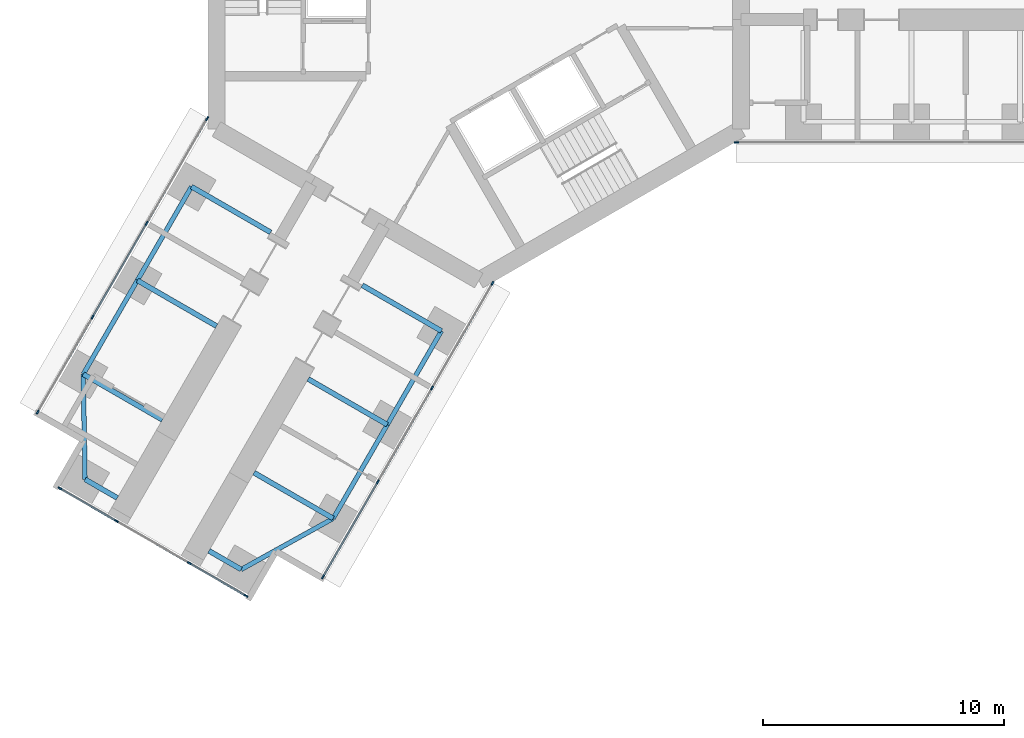
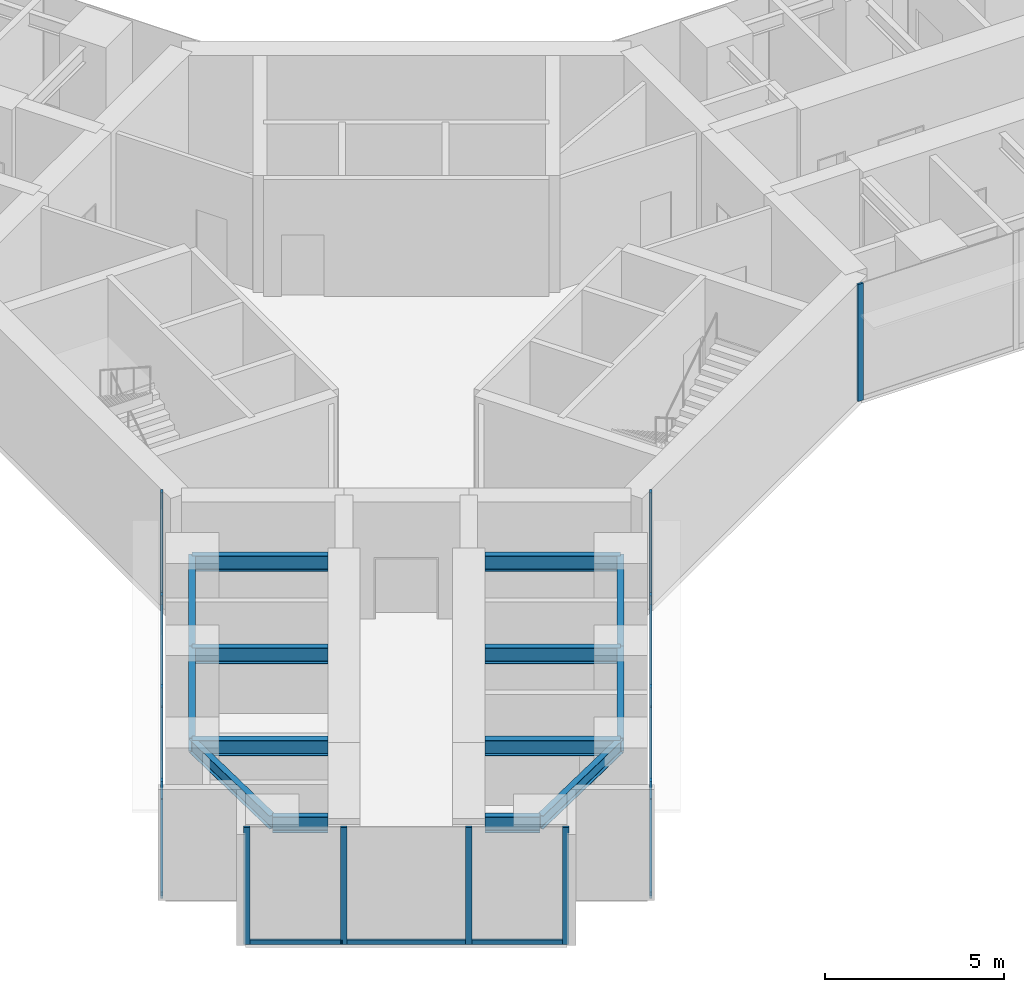
# One storey, part 2 of 22: 22 members, 14 beams, 4 elements without a shape of their own.
"""IFC4 building model written with IfcOpenShell, lengths in metres."""

from ifc_helpers import new_model, si_unit, direction, frame, origin, origin_2d, place, context, subcontext, project, spatial, rectangle, i_section, extrude, material, material_profile, profile_set, type_object, element, aggregate, save


model = new_model("IFC4")

# Units and contexts
model_context = context("Model", 3, precision=1e-05, world=origin(), true_north=direction((0.0, 1.0)))
body_context = subcontext(model_context, "Body", "Model", "MODEL_VIEW")
ifc_project = project(units=[si_unit("LENGTHUNIT", "METRE"), si_unit("AREAUNIT", "SQUARE_METRE"), si_unit("VOLUMEUNIT", "CUBIC_METRE"), si_unit("PLANEANGLEUNIT", "RADIAN"), si_unit("MASSUNIT", "GRAM", prefix="KILO")], contexts=[model_context])

# Site, building, storey
site_placement = place(None, origin())
site = spatial("IfcSite", under=ifc_project, at=site_placement, CompositionType="ELEMENT")
building_placement = place(site_placement, origin())
building = spatial("IfcBuilding", under=site, at=building_placement, Name="Upepo Twin Towers", CompositionType="ELEMENT")
storey_placement = place(building_placement, frame((0.0, 0.0, 40.5)))
storey = spatial("IfcBuildingStorey", under=building, at=storey_placement, Name="L09", CompositionType="ELEMENT", Elevation=40.5)

# Beams
ifc_material_1 = material(Name="Steel S355", Category="steel")
ifc_material_profile_1 = material_profile(ifc_material_1, i_section(OverallWidth=0.1904296875, OverallDepth=0.45703125, WebThickness=0.009033203125, FlangeThickness=0.014404296875, FilletRadius=0.01025390625, at=origin_2d()), Name="UB 457x191x74")
ifc_profile_set_1 = profile_set([ifc_material_profile_1], Name="Steel S355")
beam_type_1 = type_object("IfcBeamType", Name="Beam UB 457x191x74", PredefinedType="BEAM", material=ifc_profile_set_1)
beam_1_placement = place(storey_placement, frame((-1.553955078125, -14.69140625, 3.571533203125), z_axis=(-0.500013631625, -0.866017533419, 0.0), x_axis=(0.866017533419, -0.500013631625, 0.0)))
element("IfcBeam", 1, at=beam_1_placement, inside=storey, type_object=beam_type_1, Name="T1 edge beam CL 13.5-18.0", PredefinedType="BEAM", context=body_context, shape_type="SweptSolid", body=[
    extrude(i_section(OverallWidth=0.1904296875, OverallDepth=0.45703125, WebThickness=0.009033203125, FlangeThickness=0.014404296875, FilletRadius=0.01025390625, at=origin_2d()), origin(), (0.0, 0.0, 1.0), 4.499755859375),
])
beam_2_placement = place(storey_placement, frame((-3.803955078125, -18.58837890625, 3.571533203125), z_axis=(-0.499990139034, -0.866031096941, 0.0), x_axis=(0.866031096941, -0.499990139034, 0.0)))
element("IfcBeam", 2, at=beam_2_placement, inside=storey, type_object=beam_type_1, Name="T1 edge beam CL 18.0-22.5", PredefinedType="BEAM", context=body_context, shape_type="SweptSolid", body=[
    extrude(i_section(OverallWidth=0.1904296875, OverallDepth=0.45703125, WebThickness=0.009033203125, FlangeThickness=0.014404296875, FilletRadius=0.01025390625, at=origin_2d()), origin(), (0.0, 0.0, 1.0), 4.5),
])
beam_3_placement = place(storey_placement, frame((-6.053955078125, -22.485595703125, 3.571533203125), z_axis=(-0.874312600038, -0.485363242752, 0.0), x_axis=(0.485363242752, -0.874312600038, 0.0)))
element("IfcBeam", 3, at=beam_3_placement, inside=storey, type_object=beam_type_1, Name="T1 nose edge beam CL", PredefinedType="BEAM", context=body_context, shape_type="SweptSolid", body=[
    extrude(i_section(OverallWidth=0.1904296875, OverallDepth=0.45703125, WebThickness=0.009033203125, FlangeThickness=0.014404296875, FilletRadius=0.01025390625, at=origin_2d()), origin(), (0.0, 0.0, 1.0), 4.373046875),
])
beam_4_placement = place(storey_placement, frame((-11.946044921875, -8.69140625, 3.571533203125), z_axis=(-0.500013631625, -0.866017533419, 0.0), x_axis=(0.866017533419, -0.500013631625, 0.0)))
element("IfcBeam", 4, at=beam_4_placement, inside=storey, type_object=beam_type_1, Name="T1 edge beam CR 13.5-18.0", PredefinedType="BEAM", context=body_context, shape_type="SweptSolid", body=[
    extrude(i_section(OverallWidth=0.1904296875, OverallDepth=0.45703125, WebThickness=0.009033203125, FlangeThickness=0.014404296875, FilletRadius=0.01025390625, at=origin_2d()), origin(), (0.0, 0.0, 1.0), 4.499755859375),
])
beam_5_placement = place(storey_placement, frame((-14.196044921875, -12.58837890625, 3.571533203125), z_axis=(-0.499990139034, -0.866031096941, 0.0), x_axis=(0.866031096941, -0.499990139034, 0.0)))
element("IfcBeam", 5, at=beam_5_placement, inside=storey, type_object=beam_type_1, Name="T1 edge beam CR 18.0-22.5", PredefinedType="BEAM", context=body_context, shape_type="SweptSolid", body=[
    extrude(i_section(OverallWidth=0.1904296875, OverallDepth=0.45703125, WebThickness=0.009033203125, FlangeThickness=0.014404296875, FilletRadius=0.01025390625, at=origin_2d()), origin(), (0.0, 0.0, 1.0), 4.5),
])
beam_6_placement = place(storey_placement, frame((-16.446044921875, -16.485595703125, 3.571533203125), z_axis=(0.016803880528, -0.999858804832, 0.0), x_axis=(0.999858804832, 0.016803880528, 0.0)))
element("IfcBeam", 6, at=beam_6_placement, inside=storey, type_object=beam_type_1, Name="T1 nose edge beam CR", PredefinedType="BEAM", context=body_context, shape_type="SweptSolid", body=[
    extrude(i_section(OverallWidth=0.1904296875, OverallDepth=0.45703125, WebThickness=0.009033203125, FlangeThickness=0.014404296875, FilletRadius=0.01025390625, at=origin_2d()), origin(), (0.0, 0.0, 1.0), 4.373291015625),
])
ifc_material_2 = material(Name="Steel S355", Category="steel")
ifc_material_profile_2 = material_profile(ifc_material_2, i_section(OverallWidth=0.2099609375, OverallDepth=0.53662109375, WebThickness=0.0107421875, FlangeThickness=0.017333984375, FilletRadius=0.0126953125, at=origin_2d()), Name="UB 533x210x101")
ifc_profile_set_2 = profile_set([ifc_material_profile_2], Name="Steel S355")
beam_type_2 = type_object("IfcBeamType", Name="Beam UB 533x210x101", PredefinedType="BEAM", material=ifc_profile_set_2)
for number, where, z_axis, x_axis, name in (
    (7, (-9.87744140625, -24.608154296875, 3.53173828125), (-0.866043940782, 0.499967891604, 0.0), (-0.499967891604, -0.866043940782, 0.0), "T1 nose beam CL"),
    (8, (-16.37255859375, -20.858154296875, 3.53173828125), (0.866043940782, -0.499967891604, 0.0), (0.499967891604, 0.866043940782, 0.0), "T1 nose beam CR"),
):
    element("IfcBeam", number, at=place(storey_placement, frame(where, z_axis=z_axis, x_axis=x_axis)), inside=storey, type_object=beam_type_2, Name=name, PredefinedType="BEAM", context=body_context, shape_type="SweptSolid", body=[
        extrude(i_section(OverallWidth=0.2099609375, OverallDepth=0.53662109375, WebThickness=0.0107421875, FlangeThickness=0.017333984375, FilletRadius=0.0126953125, at=origin_2d()), origin(), (0.0, 0.0, 1.0), 1.5498046875),
    ])
ifc_material_3 = material(Name="Steel S355", Category="steel")
ifc_material_profile_3 = material_profile(ifc_material_3, i_section(OverallWidth=0.209228515625, OverallDepth=0.533203125, WebThickness=0.010009765625, FlangeThickness=0.015625, FilletRadius=0.0126953125, at=origin_2d()), Name="UB 533x210x92")
ifc_profile_set_3 = profile_set([ifc_material_profile_3], Name="Steel S355")
beam_type_3 = type_object("IfcBeamType", Name="Beam UB 533x210x92", PredefinedType="BEAM", material=ifc_profile_set_3)
beam_7_placement = place(storey_placement, frame((-1.553955078125, -14.69140625, 3.533447265625), z_axis=(-0.866000483506, 0.500043160704, 0.0), x_axis=(-0.500043160704, -0.866000483506, 0.0)))
element("IfcBeam", 9, at=beam_7_placement, inside=storey, type_object=beam_type_3, Name="T1 girder CL at 13.5", PredefinedType="BEAM", context=body_context, shape_type="SweptSolid", body=[
    extrude(i_section(OverallWidth=0.209228515625, OverallDepth=0.533203125, WebThickness=0.010009765625, FlangeThickness=0.015625, FilletRadius=0.0126953125, at=origin_2d()), origin(), (0.0, 0.0, 1.0), 3.800048828125),
])
for number, where, z_axis, x_axis, name in (
    (10, (-3.803955078125, -18.58837890625, 3.533447265625), (-0.866028304915, 0.499994975061, 0.0), (-0.499994975061, -0.866028304915, 0.0), "T1 girder CL at 18.0"),
    (11, (-6.053955078125, -22.485595703125, 3.533447265625), (-0.866028304915, 0.499994975061, 0.0), (-0.499994975061, -0.866028304915, 0.0), "T1 girder CL at 22.5"),
    (12, (-11.946044921875, -8.69140625, 3.533447265625), (0.866028304915, -0.499994975061, 0.0), (0.499994975061, 0.866028304915, 0.0), "T1 girder CR at 13.5"),
):
    element("IfcBeam", number, at=place(storey_placement, frame(where, z_axis=z_axis, x_axis=x_axis)), inside=storey, type_object=beam_type_3, Name=name, PredefinedType="BEAM", context=body_context, shape_type="SweptSolid", body=[
        extrude(i_section(OverallWidth=0.209228515625, OverallDepth=0.533203125, WebThickness=0.010009765625, FlangeThickness=0.015625, FilletRadius=0.0126953125, at=origin_2d()), origin(), (0.0, 0.0, 1.0), 3.7998046875),
    ])
beam_8_placement = place(storey_placement, frame((-14.196044921875, -12.58837890625, 3.533447265625), z_axis=(0.866000483506, -0.500043160704, 0.0), x_axis=(0.500043160704, 0.866000483506, 0.0)))
element("IfcBeam", 13, at=beam_8_placement, inside=storey, type_object=beam_type_3, Name="T1 girder CR at 18.0", PredefinedType="BEAM", context=body_context, shape_type="SweptSolid", body=[
    extrude(i_section(OverallWidth=0.209228515625, OverallDepth=0.533203125, WebThickness=0.010009765625, FlangeThickness=0.015625, FilletRadius=0.0126953125, at=origin_2d()), origin(), (0.0, 0.0, 1.0), 3.800048828125),
])
beam_9_placement = place(storey_placement, frame((-16.446044921875, -16.485595703125, 3.533447265625), z_axis=(0.866028304915, -0.499994975061, 0.0), x_axis=(0.499994975061, 0.866028304915, 0.0)))
element("IfcBeam", 14, at=beam_9_placement, inside=storey, type_object=beam_type_3, Name="T1 girder CR at 22.5", PredefinedType="BEAM", context=body_context, shape_type="SweptSolid", body=[
    extrude(i_section(OverallWidth=0.209228515625, OverallDepth=0.533203125, WebThickness=0.010009765625, FlangeThickness=0.015625, FilletRadius=0.0126953125, at=origin_2d()), origin(), (0.0, 0.0, 1.0), 3.7998046875),
])

# Curtain wall, member
ifc_material_4 = material(Name="Aluminium and fritted glass", Category="aluminium")
curtain_wall_type = type_object("IfcCurtainWallType", Name="Tower curtain wall TW1, fritted glass", PredefinedType="NOTDEFINED", material=ifc_material_4)
curtain_wall_1_placement = place(storey_placement, origin())
curtain_wall_1 = element("IfcCurtainWall", 15, at=curtain_wall_1_placement, inside=storey, type_object=curtain_wall_type, Name="T1 L09 wing A flank R curtain wall", PredefinedType="NOTDEFINED")
ifc_material_5 = material(Name="Aluminium mullion", Category="aluminium")
ifc_material_profile_4 = material_profile(ifc_material_5, rectangle(XDim=0.06494140625, YDim=0.179931640625, at=origin_2d()), Name="MULLION 65x180")
ifc_profile_set_4 = profile_set([ifc_material_profile_4], Name="Aluminium mullion")
member_type_1 = type_object("IfcMemberType", Name="Mullion 65x180 TW1", PredefinedType="MULLION", material=ifc_profile_set_4)
member_1_placement = place(storey_placement, frame((10.7197265625, -6.85009765625, 0.0), z_axis=(0.0, 0.0, 1.0), x_axis=(0.0, -1.0, 0.0)))
member_1 = element("IfcMember", 16, at=member_1_placement, type_object=member_type_1, Name="T1 L09 wing A flank R curtain wall mullion 4", PredefinedType="MULLION", context=body_context, shape_type="SweptSolid", body=[
    extrude(rectangle(XDim=0.06494140625, YDim=0.179931640625, at=origin_2d()), origin(), (0.0, 0.0, 1.0), 4.0),
])
aggregate(curtain_wall_1, [member_1])

# Curtain wall, members
curtain_wall_2_placement = place(storey_placement, origin())
curtain_wall_2 = element("IfcCurtainWall", 17, at=curtain_wall_2_placement, inside=storey, type_object=curtain_wall_type, Name="T1 L09 wing C flank L curtain wall", PredefinedType="NOTDEFINED")
member_2_placement = place(storey_placement, frame((0.572509765625, -12.70849609375, 0.0), z_axis=(0.0, 0.0, 1.0), x_axis=(0.866025389682, -0.500000024426, 0.0)))
member_2 = element("IfcMember", 18, at=member_2_placement, type_object=member_type_1, Name="T1 L09 wing C flank L curtain wall mullion 1", PredefinedType="MULLION", context=body_context, shape_type="SweptSolid", body=[
    extrude(rectangle(XDim=0.06494140625, YDim=0.179931640625, at=origin_2d()), origin(), (0.0, 0.0, 1.0), 4.0),
])
member_3_placement = place(storey_placement, frame((-1.942626953125, -17.06494140625, 0.0), z_axis=(0.0, 0.0, 1.0), x_axis=(0.866025389682, -0.500000024426, 0.0)))
member_3 = element("IfcMember", 19, at=member_3_placement, type_object=member_type_1, Name="T1 L09 wing C flank L curtain wall mullion 2", PredefinedType="MULLION", context=body_context, shape_type="SweptSolid", body=[
    extrude(rectangle(XDim=0.06494140625, YDim=0.179931640625, at=origin_2d()), origin(), (0.0, 0.0, 1.0), 4.0),
])
member_4_placement = place(storey_placement, frame((-4.192626953125, -20.9619140625, 0.0), z_axis=(0.0, 0.0, 1.0), x_axis=(0.866025389682, -0.500000024426, 0.0)))
member_4 = element("IfcMember", 20, at=member_4_placement, type_object=member_type_1, Name="T1 L09 wing C flank L curtain wall mullion 3", PredefinedType="MULLION", context=body_context, shape_type="SweptSolid", body=[
    extrude(rectangle(XDim=0.06494140625, YDim=0.179931640625, at=origin_2d()), origin(), (0.0, 0.0, 1.0), 4.0),
])
member_5_placement = place(storey_placement, frame((-6.4765625, -24.91748046875, 0.0), z_axis=(0.0, 0.0, 1.0), x_axis=(0.866025389682, -0.500000024426, 0.0)))
member_5 = element("IfcMember", 21, at=member_5_placement, type_object=member_type_1, Name="T1 L09 wing C flank L curtain wall mullion 4", PredefinedType="MULLION", context=body_context, shape_type="SweptSolid", body=[
    extrude(rectangle(XDim=0.06494140625, YDim=0.179931640625, at=origin_2d()), origin(), (0.0, 0.0, 1.0), 4.0),
])

curtain_wall_3_placement = place(storey_placement, origin())
curtain_wall_3 = element("IfcCurtainWall", 22, at=curtain_wall_3_placement, inside=storey, type_object=curtain_wall_type, Name="T1 L09 wing C flank R curtain wall", PredefinedType="NOTDEFINED")
member_6_placement = place(storey_placement, frame((-18.341064453125, -18.067626953125, 0.0), z_axis=(0.0, 0.0, 1.0), x_axis=(-0.866025389682, 0.500000024426, 0.0)))
member_6 = element("IfcMember", 23, at=member_6_placement, type_object=member_type_1, Name="T1 L09 wing C flank R curtain wall mullion 1", PredefinedType="MULLION", context=body_context, shape_type="SweptSolid", body=[
    extrude(rectangle(XDim=0.06494140625, YDim=0.179931640625, at=origin_2d()), origin(), (0.0, 0.0, 1.0), 4.0),
])
member_7_placement = place(storey_placement, frame((-16.057373046875, -14.112060546875, 0.0), z_axis=(0.0, 0.0, 1.0), x_axis=(-0.866025389682, 0.500000024426, 0.0)))
member_7 = element("IfcMember", 24, at=member_7_placement, type_object=member_type_1, Name="T1 L09 wing C flank R curtain wall mullion 2", PredefinedType="MULLION", context=body_context, shape_type="SweptSolid", body=[
    extrude(rectangle(XDim=0.06494140625, YDim=0.179931640625, at=origin_2d()), origin(), (0.0, 0.0, 1.0), 4.0),
])
member_8_placement = place(storey_placement, frame((-13.807373046875, -10.21484375, 0.0), z_axis=(0.0, 0.0, 1.0), x_axis=(-0.866025389682, 0.500000024426, 0.0)))
member_8 = element("IfcMember", 25, at=member_8_placement, type_object=member_type_1, Name="T1 L09 wing C flank R curtain wall mullion 3", PredefinedType="MULLION", context=body_context, shape_type="SweptSolid", body=[
    extrude(rectangle(XDim=0.06494140625, YDim=0.179931640625, at=origin_2d()), origin(), (0.0, 0.0, 1.0), 4.0),
])
member_9_placement = place(storey_placement, frame((-11.2919921875, -5.8583984375, 0.0), z_axis=(0.0, 0.0, 1.0), x_axis=(-0.866025389682, 0.500000024426, 0.0)))
member_9 = element("IfcMember", 26, at=member_9_placement, type_object=member_type_1, Name="T1 L09 wing C flank R curtain wall mullion 4", PredefinedType="MULLION", context=body_context, shape_type="SweptSolid", body=[
    extrude(rectangle(XDim=0.06494140625, YDim=0.179931640625, at=origin_2d()), origin(), (0.0, 0.0, 1.0), 4.0),
])

curtain_wall_4_placement = place(storey_placement, origin())
curtain_wall_4 = element("IfcCurtainWall", 27, at=curtain_wall_4_placement, inside=storey, type_object=curtain_wall_type, Name="T1 L09 wing C nose curtain wall", PredefinedType="NOTDEFINED")
member_10_placement = place(storey_placement, frame((-17.4189453125, -21.235595703125, 0.0), z_axis=(0.0, 0.0, 1.0), x_axis=(0.500000030502, 0.866025386174, 0.0)))
member_10 = element("IfcMember", 28, at=member_10_placement, type_object=member_type_1, Name="T1 L09 wing C nose curtain wall mullion 1", PredefinedType="MULLION", context=body_context, shape_type="SweptSolid", body=[
    extrude(rectangle(XDim=0.06494140625, YDim=0.179931640625, at=origin_2d()), origin(), (0.0, 0.0, 1.0), 4.0),
])
member_11_placement = place(storey_placement, frame((-15.0654296875, -22.59423828125, 0.0), z_axis=(0.0, 0.0, 1.0), x_axis=(0.500000030502, 0.866025386174, 0.0)))
member_11 = element("IfcMember", 29, at=member_11_placement, type_object=member_type_1, Name="T1 L09 wing C nose curtain wall mullion 2", PredefinedType="MULLION", context=body_context, shape_type="SweptSolid", body=[
    extrude(rectangle(XDim=0.06494140625, YDim=0.179931640625, at=origin_2d()), origin(), (0.0, 0.0, 1.0), 4.0),
])
member_12_placement = place(storey_placement, frame((-12.034423828125, -24.34423828125, 0.0), z_axis=(0.0, 0.0, 1.0), x_axis=(0.500000030502, 0.866025386174, 0.0)))
member_12 = element("IfcMember", 30, at=member_12_placement, type_object=member_type_1, Name="T1 L09 wing C nose curtain wall mullion 3", PredefinedType="MULLION", context=body_context, shape_type="SweptSolid", body=[
    extrude(rectangle(XDim=0.06494140625, YDim=0.179931640625, at=origin_2d()), origin(), (0.0, 0.0, 1.0), 4.0),
])
member_13_placement = place(storey_placement, frame((-9.68115234375, -25.703125, 0.0), z_axis=(0.0, 0.0, 1.0), x_axis=(0.500000030502, 0.866025386174, 0.0)))
member_13 = element("IfcMember", 31, at=member_13_placement, type_object=member_type_1, Name="T1 L09 wing C nose curtain wall mullion 4", PredefinedType="MULLION", context=body_context, shape_type="SweptSolid", body=[
    extrude(rectangle(XDim=0.06494140625, YDim=0.179931640625, at=origin_2d()), origin(), (0.0, 0.0, 1.0), 4.0),
])

# Member
ifc_material_6 = material(Name="Aluminium transom", Category="aluminium")
ifc_material_profile_5 = material_profile(ifc_material_6, rectangle(XDim=0.06494140625, YDim=0.14990234375, at=origin_2d()), Name="TRANSOM 65x150")
ifc_profile_set_5 = profile_set([ifc_material_profile_5], Name="Aluminium transom")
member_type_2 = type_object("IfcMemberType", Name="Transom 65x150 TW1", PredefinedType="USERDEFINED", material=ifc_profile_set_5)
member_14_placement = place(storey_placement, frame((0.55615234375, -12.736572265625, 0.074951171875), z_axis=(-0.499983492876, -0.866034933967, 0.0), x_axis=(0.866034933967, -0.499983492876, 0.0)))
member_14 = element("IfcMember", 32, at=member_14_placement, type_object=member_type_2, Name="T1 L09 wing C flank L curtain wall transom 1", ObjectType="TRANSOM", PredefinedType="USERDEFINED", context=body_context, shape_type="SweptSolid", body=[
    extrude(rectangle(XDim=0.06494140625, YDim=0.14990234375, at=origin_2d()), origin(), (0.0, 0.0, 1.0), 4.965576171875),
])

member_15_placement = place(storey_placement, frame((-1.958984375, -17.093017578125, 0.074951171875), z_axis=(-0.500005184116, -0.866022410713, 0.0), x_axis=(0.866022410713, -0.500005184116, 0.0)))
member_15 = element("IfcMember", 33, at=member_15_placement, type_object=member_type_2, Name="T1 L09 wing C flank L curtain wall transom 2", ObjectType="TRANSOM", PredefinedType="USERDEFINED", context=body_context, shape_type="SweptSolid", body=[
    extrude(rectangle(XDim=0.06494140625, YDim=0.14990234375, at=origin_2d()), origin(), (0.0, 0.0, 1.0), 4.43505859375),
])

member_16_placement = place(storey_placement, frame((-4.208984375, -20.990234375, 0.074951171875), z_axis=(-0.500005646842, -0.866022143554, 0.0), x_axis=(0.866022143554, -0.500005646842, 0.0)))
member_16 = element("IfcMember", 34, at=member_16_placement, type_object=member_type_2, Name="T1 L09 wing C flank L curtain wall transom 3", ObjectType="TRANSOM", PredefinedType="USERDEFINED", context=body_context, shape_type="SweptSolid", body=[
    extrude(rectangle(XDim=0.06494140625, YDim=0.14990234375, at=origin_2d()), origin(), (0.0, 0.0, 1.0), 4.50244140625),
])

aggregate(curtain_wall_2, [member_2, member_3, member_4, member_5, member_14, member_15, member_16])

member_17_placement = place(storey_placement, frame((-18.32470703125, -18.03955078125, 0.074951171875), z_axis=(0.499982167615, 0.866035699072, 0.0), x_axis=(-0.866035699072, 0.499982167615, 0.0)))
member_17 = element("IfcMember", 35, at=member_17_placement, type_object=member_type_2, Name="T1 L09 wing C flank R curtain wall transom 1", ObjectType="TRANSOM", PredefinedType="USERDEFINED", context=body_context, shape_type="SweptSolid", body=[
    extrude(rectangle(XDim=0.06494140625, YDim=0.14990234375, at=origin_2d()), origin(), (0.0, 0.0, 1.0), 4.502685546875),
])

member_18_placement = place(storey_placement, frame((-16.041015625, -14.083984375, 0.074951171875), z_axis=(0.500005184116, 0.866022410713, 0.0), x_axis=(-0.866022410713, 0.500005184116, 0.0)))
member_18 = element("IfcMember", 36, at=member_18_placement, type_object=member_type_2, Name="T1 L09 wing C flank R curtain wall transom 2", ObjectType="TRANSOM", PredefinedType="USERDEFINED", context=body_context, shape_type="SweptSolid", body=[
    extrude(rectangle(XDim=0.06494140625, YDim=0.14990234375, at=origin_2d()), origin(), (0.0, 0.0, 1.0), 4.43505859375),
])

member_19_placement = place(storey_placement, frame((-13.791015625, -10.186767578125, 0.074951171875), z_axis=(0.50000478328, 0.866022642139, 0.0), x_axis=(-0.866022642139, 0.50000478328, 0.0)))
member_19 = element("IfcMember", 37, at=member_19_placement, type_object=member_type_2, Name="T1 L09 wing C flank R curtain wall transom 3", ObjectType="TRANSOM", PredefinedType="USERDEFINED", context=body_context, shape_type="SweptSolid", body=[
    extrude(rectangle(XDim=0.06494140625, YDim=0.14990234375, at=origin_2d()), origin(), (0.0, 0.0, 1.0), 4.96533203125),
])

aggregate(curtain_wall_3, [member_6, member_7, member_8, member_9, member_17, member_18, member_19])

member_20_placement = place(storey_placement, frame((-17.390869140625, -21.251708984375, 0.074951171875), z_axis=(0.865997053448, -0.500049101008, 0.0), x_axis=(0.500049101008, 0.865997053448, 0.0)))
member_20 = element("IfcMember", 38, at=member_20_placement, type_object=member_type_2, Name="T1 L09 wing C nose curtain wall transom 1", ObjectType="TRANSOM", PredefinedType="USERDEFINED", context=body_context, shape_type="SweptSolid", body=[
    extrude(rectangle(XDim=0.06494140625, YDim=0.14990234375, at=origin_2d()), origin(), (0.0, 0.0, 1.0), 2.652587890625),
])

member_21_placement = place(storey_placement, frame((-15.037353515625, -22.610595703125, 0.074951171875), z_axis=(0.866025804792, -0.499999305434, 0.0), x_axis=(0.499999305434, 0.866025804792, 0.0)))
member_21 = element("IfcMember", 39, at=member_21_placement, type_object=member_type_2, Name="T1 L09 wing C nose curtain wall transom 2", ObjectType="TRANSOM", PredefinedType="USERDEFINED", context=body_context, shape_type="SweptSolid", body=[
    extrude(rectangle(XDim=0.06494140625, YDim=0.14990234375, at=origin_2d()), origin(), (0.0, 0.0, 1.0), 3.43505859375),
])

member_22_placement = place(storey_placement, frame((-12.00634765625, -24.360595703125, 0.074951171875), z_axis=(0.866036909293, -0.499980071345, 0.0), x_axis=(0.499980071345, 0.866036909293, 0.0)))
member_22 = element("IfcMember", 40, at=member_22_placement, type_object=member_type_2, Name="T1 L09 wing C nose curtain wall transom 3", ObjectType="TRANSOM", PredefinedType="USERDEFINED", context=body_context, shape_type="SweptSolid", body=[
    extrude(rectangle(XDim=0.06494140625, YDim=0.14990234375, at=origin_2d()), origin(), (0.0, 0.0, 1.0), 2.65234375),
])

aggregate(curtain_wall_4, [member_10, member_11, member_12, member_13, member_20, member_21, member_22])

save(model, "model.ifc")
